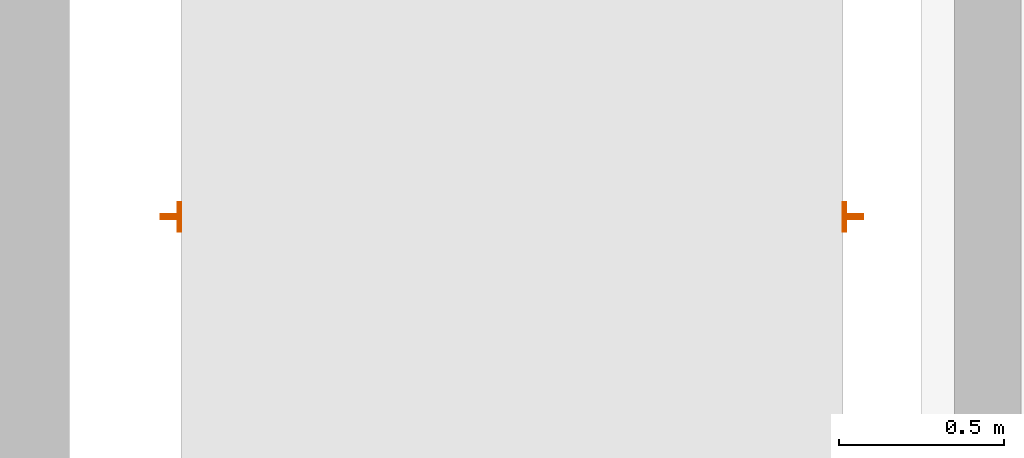
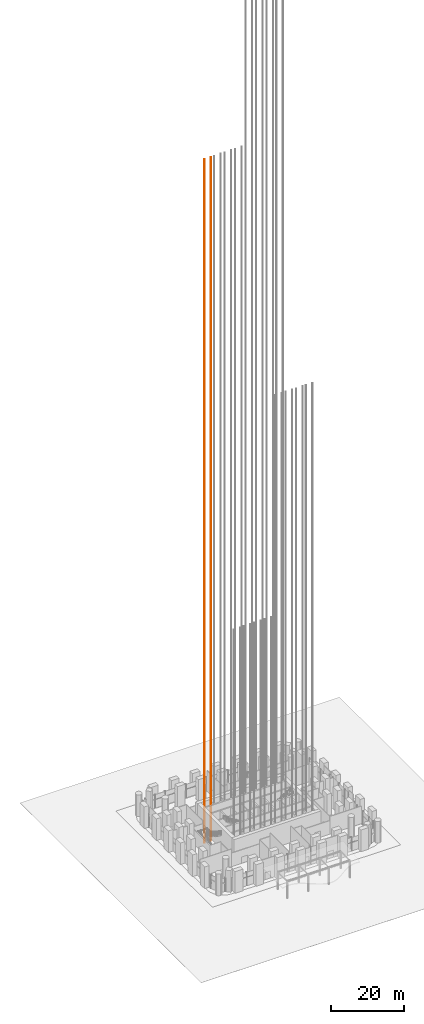
# One storey, part 25 of 32: 1 proxy.
"""IFC4 building model written with IfcOpenShell, lengths in metres."""

from ifc_helpers import new_model, si_unit, direction, frame, origin, origin_2d, place, context, subcontext, project, spatial, t_section, extrude, material, type_object, element, save


model = new_model("IFC4")

# Units and contexts
model_context = context("Model", 3, precision=1e-05, world=origin(), true_north=direction((0.0, 1.0)))
body_context = subcontext(model_context, "Body", "Model", "MODEL_VIEW")
ifc_project = project(units=[si_unit("LENGTHUNIT", "METRE"), si_unit("AREAUNIT", "SQUARE_METRE"), si_unit("VOLUMEUNIT", "CUBIC_METRE"), si_unit("PLANEANGLEUNIT", "RADIAN"), si_unit("MASSUNIT", "GRAM", prefix="KILO")], contexts=[model_context])

# Site, building, storey
site_placement = place(None, origin())
site = spatial("IfcSite", under=ifc_project, at=site_placement, CompositionType="ELEMENT")
building_placement = place(site_placement, origin())
building = spatial("IfcBuilding", under=site, at=building_placement, Name="Cobogo Forest Laboratory Tower", CompositionType="ELEMENT")
storey_placement = place(building_placement, origin())
storey = spatial("IfcBuildingStorey", under=building, at=storey_placement, Name="L00", CompositionType="ELEMENT", Elevation=0.0)

# Proxy
ifc_material = material(Name="Steel guide rail", Category="steel")
building_element_proxy_type = type_object("IfcBuildingElementProxyType", Name="LR lift guide rails", PredefinedType="USERDEFINED", material=ifc_material)
proxy_placement = place(storey_placement, frame((15.0625, 31.0, 0.0)))
element("IfcBuildingElementProxy", 1, at=proxy_placement, inside=storey, type_object=building_element_proxy_type, Name="LC1 guide rails", ObjectType="LIFT GUIDE RAILS", PredefinedType="USERDEFINED", context=body_context, shape_type="SweptSolid", body=[
    extrude(t_section(Depth=0.062, FlangeWidth=0.089, WebThickness=0.0159, FlangeThickness=0.01, at=origin_2d()), frame((-1.031005859375, 0.0, -5.39990234375), z_axis=(0.0, 0.0, 1.0), x_axis=(0.0, -1.0, 0.0)), (0.0, 0.0, 1.0), 227.75),
    extrude(t_section(Depth=0.062, FlangeWidth=0.089, WebThickness=0.0159, FlangeThickness=0.01, at=origin_2d()), frame((1.031005859375, 0.0, -5.39990234375), z_axis=(0.0, 0.0, 1.0), x_axis=(0.0, 1.0, 0.0)), (0.0, 0.0, 1.0), 227.75),
])

save(model, "model.ifc")
